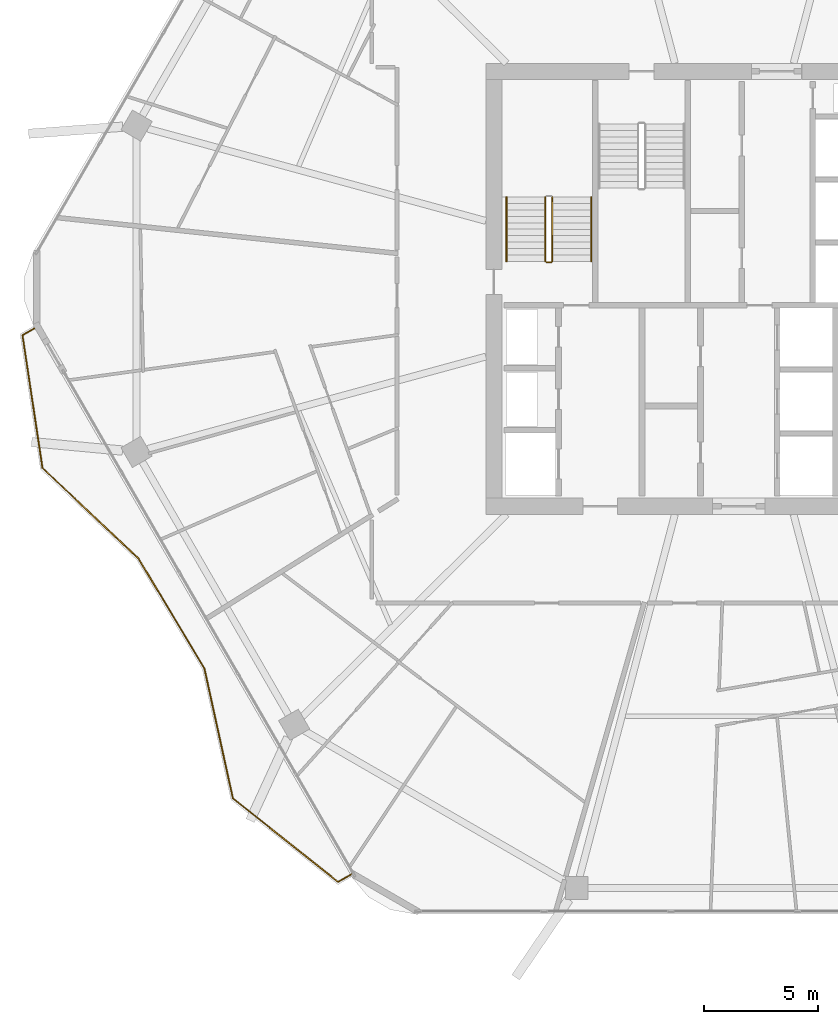
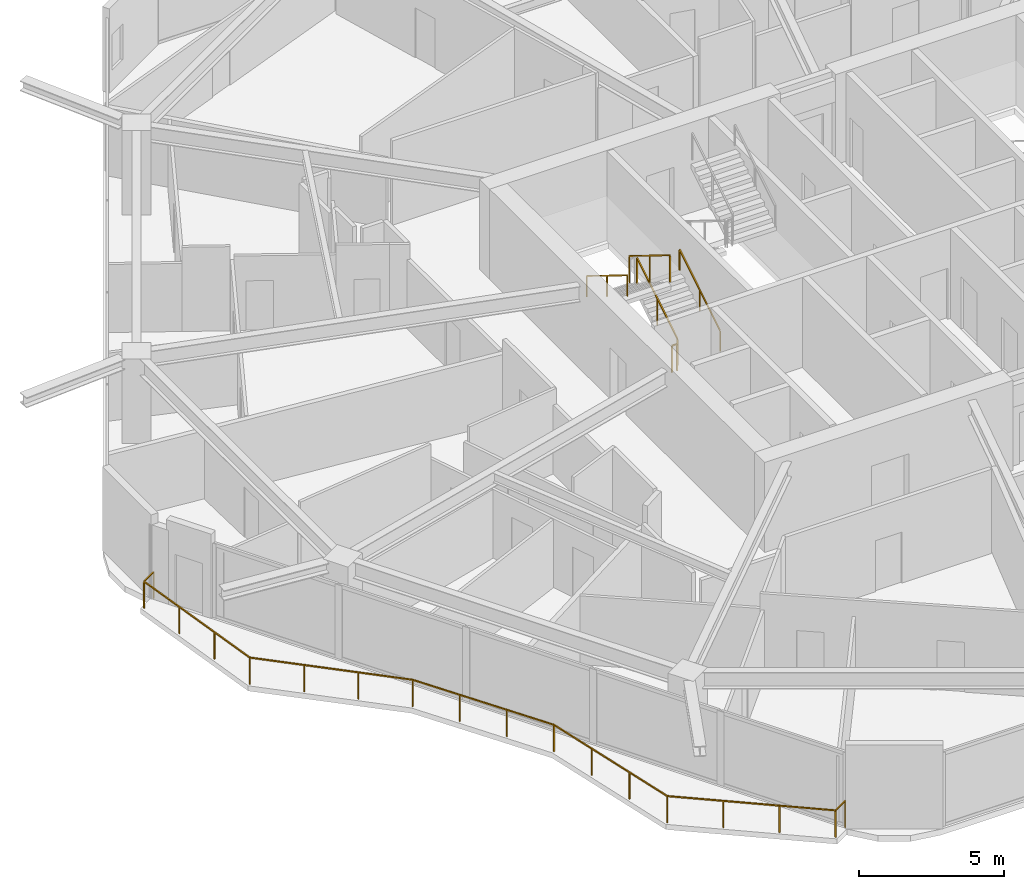
# One storey, part 24 of 26: 6 railings.
"""IFC4 building model written with IfcOpenShell, lengths in metres."""

from ifc_helpers import new_model, si_unit, direction, frame, origin, origin_2d, place, context, subcontext, project, spatial, rectangle, extrude, material, type_object, element, save


model = new_model("IFC4")

# Units and contexts
model_context = context("Model", 3, precision=1e-05, world=origin(), true_north=direction((0.0, 1.0)))
body_context = subcontext(model_context, "Body", "Model", "MODEL_VIEW")
ifc_project = project(units=[si_unit("LENGTHUNIT", "METRE"), si_unit("AREAUNIT", "SQUARE_METRE"), si_unit("VOLUMEUNIT", "CUBIC_METRE"), si_unit("PLANEANGLEUNIT", "RADIAN"), si_unit("MASSUNIT", "GRAM", prefix="KILO")], contexts=[model_context])

# Site, building, storey
site_placement = place(None, origin())
site = spatial("IfcSite", under=ifc_project, at=site_placement, CompositionType="ELEMENT")
building_placement = place(site_placement, origin())
building = spatial("IfcBuilding", under=site, at=building_placement, Name="Zuhravey Tower", CompositionType="ELEMENT")
storey_placement = place(building_placement, frame((0.0, 0.0, 158.0)))
storey = spatial("IfcBuildingStorey", under=building, at=storey_placement, Name="L39", CompositionType="ELEMENT", Elevation=158.0)

# Railings
ifc_material_1 = material(Name="Stainless steel 316 and laminated glass", Category="steel")
railing_type_1 = type_object("IfcRailingType", Name="Balcony & Terrace Guardrail 1150", PredefinedType="BALUSTRADE", material=ifc_material_1)
railing_1_placement = place(storey_placement, frame((19.280029296875, 6.423583984375, 0.0)))
element("IfcRailing", 1, at=railing_1_placement, inside=storey, type_object=railing_type_1, Name="L39 Face 4 Wave Balcony Guardrail GR1", PredefinedType="BALUSTRADE", context=body_context, shape_type="SweptSolid", body=[
    extrude(rectangle(XDim=0.048095703125, YDim=0.048095703125, at=origin_2d()), frame((-0.001708984375, -0.0009765625, 1.1259765625), z_axis=(-0.865840589429, -0.500319971315, 0.0), x_axis=(0.500319971315, -0.865840589429, 0.0)), (0.0, 0.0, 1.0), 0.66796875),
    extrude(rectangle(XDim=0.048095703125, YDim=0.048095703125, at=origin_2d()), frame((-0.583251953125, -0.3349609375, 1.1259765625), z_axis=(-0.783260937182, 0.621693094931, 0.0), x_axis=(-0.621693094931, -0.783260937182, 0.0)), (0.0, 0.0, 1.0), 5.866455078125),
    extrude(rectangle(XDim=0.048095703125, YDim=0.048095703125, at=origin_2d()), frame((-5.180419921875, 3.3154296875, 1.1259765625), z_axis=(-0.214376007752, 0.976751210545, 0.0), x_axis=(-0.976751210545, -0.214376007752, 0.0)), (0.0, 0.0, 1.0), 5.806396484375),
    extrude(rectangle(XDim=0.048095703125, YDim=0.048095703125, at=origin_2d()), frame((-6.426513671875, 8.990478515625, 1.1259765625), z_axis=(-0.514000830147, 0.857789686699, 0.0), x_axis=(-0.857789686699, -0.514000830147, 0.0)), (0.0, 0.0, 1.0), 5.582763671875),
    extrude(rectangle(XDim=0.048095703125, YDim=0.048095703125, at=origin_2d()), frame((-9.298583984375, 13.782470703125, 1.1259765625), z_axis=(-0.727137343028, 0.686492013336, 0.0), x_axis=(-0.686492013336, -0.727137343028, 0.0)), (0.0, 0.0, 1.0), 5.7744140625),
    extrude(rectangle(XDim=0.048095703125, YDim=0.048095703125, at=origin_2d()), frame((-13.4990234375, 17.749755859375, 1.1259765625), z_axis=(-0.148822745922, 0.98886388866, 0.0), x_axis=(-0.98886388866, -0.148822745922, 0.0)), (0.0, 0.0, 1.0), 5.8623046875),
    extrude(rectangle(XDim=0.048095703125, YDim=0.048095703125, at=origin_2d()), frame((-14.3701171875, 23.5498046875, 1.1259765625), z_axis=(0.865997973348, 0.5000475079, 0.0), x_axis=(-0.5000475079, 0.865997973348, 0.0)), (0.0, 0.0, 1.0), 0.667724609375),
    extrude(rectangle(XDim=0.0419921875, YDim=0.0419921875, at=origin_2d()), origin(), (0.0, 0.0, 1.0), 1.099853515625),
    extrude(rectangle(XDim=0.0419921875, YDim=0.0419921875, at=origin_2d()), frame((-0.581787109375, -0.336181640625, 0.0)), (0.0, 0.0, 1.0), 1.099853515625),
    extrude(rectangle(XDim=0.0419921875, YDim=0.0419921875, at=origin_2d()), frame((-2.114501953125, 0.88037109375, 0.0)), (0.0, 0.0, 1.0), 1.099853515625),
    extrude(rectangle(XDim=0.0419921875, YDim=0.0419921875, at=origin_2d()), frame((-3.647216796875, 2.096923828125, 0.0)), (0.0, 0.0, 1.0), 1.099853515625),
    extrude(rectangle(XDim=0.0419921875, YDim=0.0419921875, at=origin_2d()), frame((-5.179931640625, 3.3134765625, 0.0)), (0.0, 0.0, 1.0), 1.099853515625),
    extrude(rectangle(XDim=0.0419921875, YDim=0.0419921875, at=origin_2d()), frame((-5.59521484375, 5.205322265625, 0.0)), (0.0, 0.0, 1.0), 1.099853515625),
    extrude(rectangle(XDim=0.0419921875, YDim=0.0419921875, at=origin_2d()), frame((-6.01025390625, 7.096923828125, 0.0)), (0.0, 0.0, 1.0), 1.099853515625),
    extrude(rectangle(XDim=0.0419921875, YDim=0.0419921875, at=origin_2d()), frame((-6.425537109375, 8.98876953125, 0.0)), (0.0, 0.0, 1.0), 1.099853515625),
    extrude(rectangle(XDim=0.0419921875, YDim=0.0419921875, at=origin_2d()), frame((-7.3828125, 10.586181640625, 0.0)), (0.0, 0.0, 1.0), 1.099853515625),
    extrude(rectangle(XDim=0.0419921875, YDim=0.0419921875, at=origin_2d()), frame((-8.33984375, 12.18359375, 0.0)), (0.0, 0.0, 1.0), 1.099853515625),
    extrude(rectangle(XDim=0.0419921875, YDim=0.0419921875, at=origin_2d()), frame((-9.297119140625, 13.781005859375, 0.0)), (0.0, 0.0, 1.0), 1.099853515625),
    extrude(rectangle(XDim=0.0419921875, YDim=0.0419921875, at=origin_2d()), frame((-10.69775390625, 15.103271484375, 0.0)), (0.0, 0.0, 1.0), 1.099853515625),
    extrude(rectangle(XDim=0.0419921875, YDim=0.0419921875, at=origin_2d()), frame((-12.09814453125, 16.425537109375, 0.0)), (0.0, 0.0, 1.0), 1.099853515625),
    extrude(rectangle(XDim=0.0419921875, YDim=0.0419921875, at=origin_2d()), frame((-13.498779296875, 17.747802734375, 0.0)), (0.0, 0.0, 1.0), 1.099853515625),
    extrude(rectangle(XDim=0.0419921875, YDim=0.0419921875, at=origin_2d()), frame((-13.789794921875, 19.681396484375, 0.0)), (0.0, 0.0, 1.0), 1.099853515625),
    extrude(rectangle(XDim=0.0419921875, YDim=0.0419921875, at=origin_2d()), frame((-14.080810546875, 21.615234375, 0.0)), (0.0, 0.0, 1.0), 1.099853515625),
    extrude(rectangle(XDim=0.0419921875, YDim=0.0419921875, at=origin_2d()), frame((-14.371826171875, 23.548828125, 0.0)), (0.0, 0.0, 1.0), 1.099853515625),
    extrude(rectangle(XDim=0.0419921875, YDim=0.0419921875, at=origin_2d()), frame((-13.7900390625, 23.884765625, 0.0)), (0.0, 0.0, 1.0), 1.099853515625),
])
ifc_material_2 = material(Name="Brushed stainless steel", Category="steel")
railing_type_2 = type_object("IfcRailingType", Name="Stair Wall Handrail 900", PredefinedType="HANDRAIL", material=ifc_material_2)
railing_2_placement = place(storey_placement, frame((29.75, 33.199951171875, 0.172607421875)))
element("IfcRailing", 2, at=railing_2_placement, inside=storey, type_object=railing_type_2, Name="L39 ST1 stair handrail 1", PredefinedType="HANDRAIL", context=body_context, shape_type="SweptSolid", body=[
    extrude(rectangle(XDim=0.048095703125, YDim=0.048095703125, at=origin_2d()), frame((0.0, 0.001708984375, 0.876953125), z_axis=(0.0, 0.851089632645, 0.525020415988), x_axis=(-1.0, 0.0, 0.0)), (0.0, 0.0, 1.0), 3.285888671875),
    extrude(rectangle(XDim=0.0419921875, YDim=0.0419921875, at=origin_2d()), origin(), (0.0, 0.0, 1.0), 0.849853515625),
    extrude(rectangle(XDim=0.0419921875, YDim=0.0419921875, at=origin_2d()), frame((0.0, 1.39990234375, 0.86376953125)), (0.0, 0.0, 1.0), 0.849853515625),
    extrude(rectangle(XDim=0.0419921875, YDim=0.0419921875, at=origin_2d()), frame((0.0, 2.800048828125, 1.727294921875)), (0.0, 0.0, 1.0), 0.849853515625),
])
railing_3_placement = place(storey_placement, frame((26.050048828125, 36.0, 2.07275390625)))
element("IfcRailing", 3, at=railing_3_placement, inside=storey, type_object=railing_type_2, Name="L39 ST1 stair handrail 2", PredefinedType="HANDRAIL", context=body_context, shape_type="SweptSolid", body=[
    extrude(rectangle(XDim=0.048095703125, YDim=0.048095703125, at=origin_2d()), frame((0.0, -0.001708984375, 0.876953125), z_axis=(0.0, -0.851089632645, 0.525020415988), x_axis=(1.0, 0.0, 0.0)), (0.0, 0.0, 1.0), 3.285888671875),
    extrude(rectangle(XDim=0.0419921875, YDim=0.0419921875, at=origin_2d()), origin(), (0.0, 0.0, 1.0), 0.849853515625),
    extrude(rectangle(XDim=0.0419921875, YDim=0.0419921875, at=origin_2d()), frame((0.0, -1.39990234375, 0.86376953125)), (0.0, 0.0, 1.0), 0.849853515625),
    extrude(rectangle(XDim=0.0419921875, YDim=0.0419921875, at=origin_2d()), frame((0.0, -2.800048828125, 1.727294921875)), (0.0, 0.0, 1.0), 0.849853515625),
])
ifc_material_3 = material(Name="Painted tubular steel", Category="steel")
railing_type_3 = type_object("IfcRailingType", Name="Stair Well Guardrail 1150", PredefinedType="GUARDRAIL", material=ifc_material_3)
railing_4_placement = place(storey_placement, frame((28.050048828125, 33.199951171875, 0.172607421875)))
element("IfcRailing", 4, at=railing_4_placement, inside=storey, type_object=railing_type_3, Name="L39 ST1 stair guard 1", PredefinedType="GUARDRAIL", context=body_context, shape_type="SweptSolid", body=[
    extrude(rectangle(XDim=0.048095703125, YDim=0.048095703125, at=origin_2d()), frame((0.0, 0.001708984375, 1.126953125), z_axis=(0.0, 0.851089632645, 0.525020415988), x_axis=(-1.0, 0.0, 0.0)), (0.0, 0.0, 1.0), 3.285888671875),
    extrude(rectangle(XDim=0.0419921875, YDim=0.0419921875, at=origin_2d()), origin(), (0.0, 0.0, 1.0), 1.099853515625),
    extrude(rectangle(XDim=0.0419921875, YDim=0.0419921875, at=origin_2d()), frame((0.0, 1.39990234375, 0.86376953125)), (0.0, 0.0, 1.0), 1.099853515625),
    extrude(rectangle(XDim=0.0419921875, YDim=0.0419921875, at=origin_2d()), frame((0.0, 2.800048828125, 1.727294921875)), (0.0, 0.0, 1.0), 1.099853515625),
])
railing_5_placement = place(storey_placement, frame((27.75, 36.0, 2.07275390625)))
element("IfcRailing", 5, at=railing_5_placement, inside=storey, type_object=railing_type_3, Name="L39 ST1 stair guard 3", PredefinedType="GUARDRAIL", context=body_context, shape_type="SweptSolid", body=[
    extrude(rectangle(XDim=0.048095703125, YDim=0.048095703125, at=origin_2d()), frame((0.0, -0.001708984375, 1.126953125), z_axis=(0.0, -0.851089632645, 0.525020415988), x_axis=(1.0, 0.0, 0.0)), (0.0, 0.0, 1.0), 3.285888671875),
    extrude(rectangle(XDim=0.0419921875, YDim=0.0419921875, at=origin_2d()), origin(), (0.0, 0.0, 1.0), 1.099853515625),
    extrude(rectangle(XDim=0.0419921875, YDim=0.0419921875, at=origin_2d()), frame((0.0, -1.39990234375, 0.86376953125)), (0.0, 0.0, 1.0), 1.099853515625),
    extrude(rectangle(XDim=0.0419921875, YDim=0.0419921875, at=origin_2d()), frame((0.0, -2.800048828125, 1.727294921875)), (0.0, 0.0, 1.0), 1.099853515625),
])
railing_6_placement = place(storey_placement, frame((28.0, 33.14990234375, 0.0)))
element("IfcRailing", 6, at=railing_6_placement, inside=storey, type_object=railing_type_3, Name="L39 ST1 stair guard 4", PredefinedType="GUARDRAIL", context=body_context, shape_type="SweptSolid", body=[
    extrude(rectangle(XDim=0.048095703125, YDim=0.048095703125, at=origin_2d()), frame((-0.001953125, 0.0, 1.1259765625), z_axis=(-1.0, 0.0, 0.0), x_axis=(0.0, -1.0, 0.0)), (0.0, 0.0, 1.0), 0.196044921875),
    extrude(rectangle(XDim=0.0419921875, YDim=0.0419921875, at=origin_2d()), origin(), (0.0, 0.0, 1.0), 1.099853515625),
    extrude(rectangle(XDim=0.0419921875, YDim=0.0419921875, at=origin_2d()), frame((-0.199951171875, 0.0, 0.0)), (0.0, 0.0, 1.0), 1.099853515625),
])

save(model, "model.ifc")
